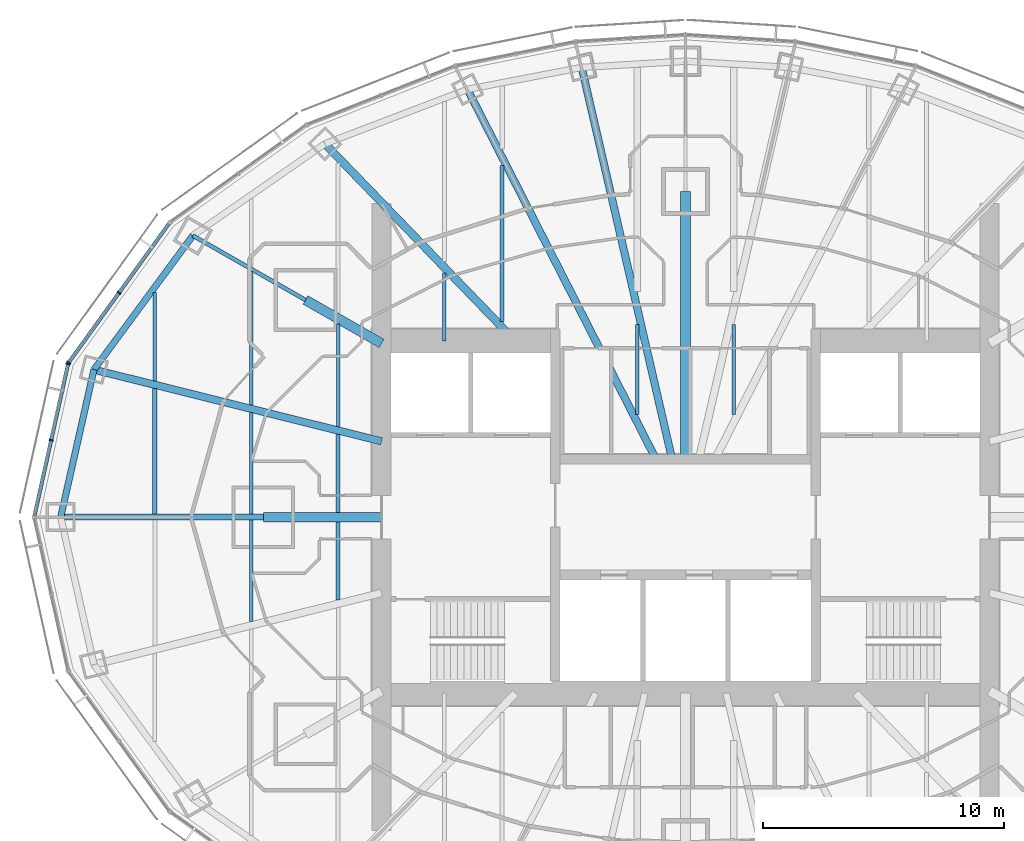
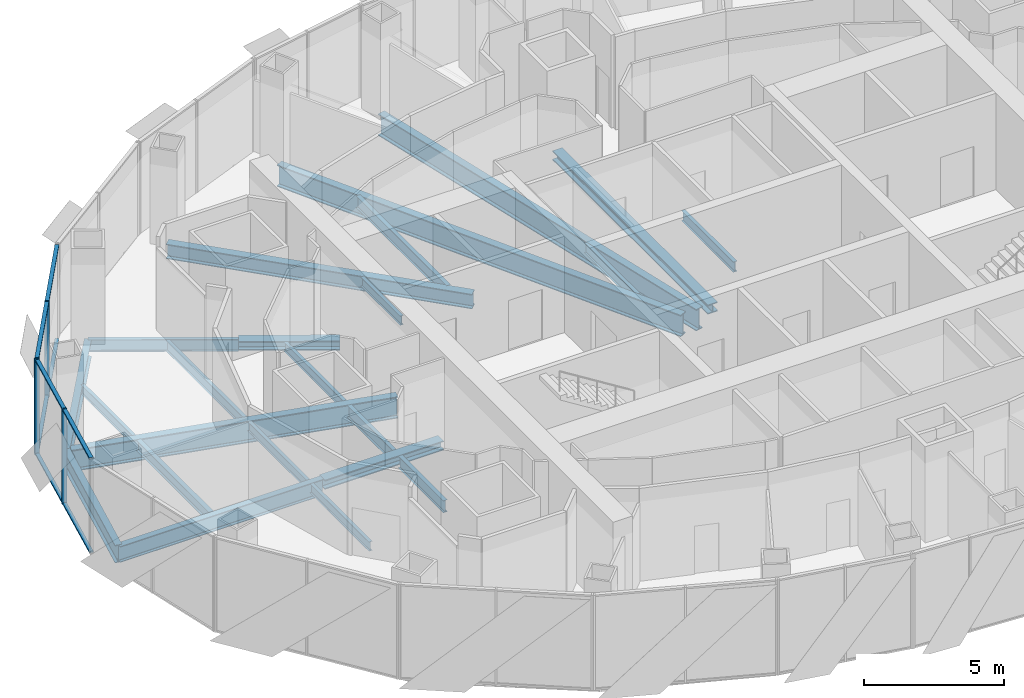
# One storey, part 4 of 18: 23 beams, 12 members, 2 elements without a shape of their own.
"""IFC4 building model written with IfcOpenShell, lengths in metres."""

import ifcopenshell
import ifcopenshell.guid

model = None  # the IFC model being written
_history = None  # IfcOwnerHistory: only IFC2X3 demands one
_inside = {}  # id of a spatial element -> (the spatial element, [elements in it])
_under = {}  # id of a project, library or spatial element -> (it, [spatial elements below it])
_declared = {}  # id of a project -> (the project, [libraries it declares])
_typed = {}  # id of a type object -> (the type object, [elements of that type])
_made_of = {}  # id of a material, layer set ... -> (it, [elements and type objects made of it])


def new_model(schema):
    """Start an empty IFC model of exactly this schema.

    Asked for "IFC4X3", IfcOpenShell would pick the latest addendum, in which some entities
    have other attributes; the version numbers below select the first issue.
    IFC2X3 requires an IfcOwnerHistory on every rooted entity: one is made here for all.
    """
    global model, _history
    if schema == "IFC4X3":
        model = ifcopenshell.file(schema_version=(4, 3, 0, 0))
    else:
        model = ifcopenshell.file(schema=schema)
    _inside.clear()
    _under.clear()
    _declared.clear()
    _typed.clear()
    _made_of.clear()
    _history = None
    if model.schema == "IFC2X3":
        org = make("IfcOrganization", Name="unknown")
        user = make(
            "IfcPersonAndOrganization",
            ThePerson=make("IfcPerson", FamilyName="unknown"),
            TheOrganization=org,
        )
        app = make(
            "IfcApplication",
            ApplicationDeveloper=org,
            Version="unknown",
            ApplicationFullName="unknown",
            ApplicationIdentifier="unknown",
        )
        _history = make(
            "IfcOwnerHistory",
            OwningUser=user,
            OwningApplication=app,
            ChangeAction="ADDED",
            CreationDate=0,
        )
    return model


def make(cls, **values):
    """One entity of the class cls with the attributes given. An attribute that is None is left unset."""
    return model.create_entity(
        cls, **{name: value for name, value in values.items() if value is not None}
    )


def rooted(cls, **values):
    """An entity with a GlobalId (a new one), such as an element, a storey or a relation."""
    return make(cls, GlobalId=ifcopenshell.guid.new(), OwnerHistory=_history, **values)


def si_unit(unit_type, name, prefix=None):
    """IfcSIUnit, for example si_unit("LENGTHUNIT", "METRE", prefix="MILLI")."""
    return make("IfcSIUnit", UnitType=unit_type, Prefix=prefix, Name=name)


def assignment(units):
    """IfcUnitAssignment: the units of a project."""
    return None if units is None else make("IfcUnitAssignment", Units=units)


def point(xyz):
    """IfcCartesianPoint."""
    return None if xyz is None else make("IfcCartesianPoint", Coordinates=xyz)


def direction(xyz):
    """IfcDirection."""
    return None if xyz is None else make("IfcDirection", DirectionRatios=xyz)


def frame(location, z_axis=None, x_axis=None):
    """IfcAxis2Placement3D, a coordinate frame: its origin and axes. An axis left out is left unset."""
    return make(
        "IfcAxis2Placement3D",
        Location=point(location),
        Axis=direction(z_axis),
        RefDirection=direction(x_axis),
    )


def frame_2d(location, x_axis=None):
    """IfcAxis2Placement2D, a coordinate frame in the plane: its origin and x axis."""
    return make(
        "IfcAxis2Placement2D", Location=point(location), RefDirection=direction(x_axis)
    )


def origin():
    """The frame at (0, 0, 0) with its axes left unset."""
    return frame((0.0, 0.0, 0.0))


def origin_2d():
    """The frame at (0, 0) in the plane with its x axis left unset."""
    return frame_2d((0.0, 0.0))


def place(relative_to, where):
    """IfcLocalPlacement: puts the frame where relative to a parent placement (None: the world)."""
    return make(
        "IfcLocalPlacement", PlacementRelTo=relative_to, RelativePlacement=where
    )


def context(
    kind, dimensions, precision=None, world=None, true_north=None, identifier=None
):
    """IfcGeometricRepresentationContext, for example the 3D "Model" context."""
    return make(
        "IfcGeometricRepresentationContext",
        ContextIdentifier=identifier,
        ContextType=kind,
        CoordinateSpaceDimension=dimensions,
        Precision=precision,
        WorldCoordinateSystem=world,
        TrueNorth=true_north,
    )


def subcontext(parent, identifier, kind, view, scale=None):
    """IfcGeometricRepresentationSubContext, for example "Body" below "Model"."""
    return make(
        "IfcGeometricRepresentationSubContext",
        ContextIdentifier=identifier,
        ContextType=kind,
        ParentContext=parent,
        TargetScale=scale,
        TargetView=view,
    )


def project(units=None, contexts=None):
    """IfcProject with its units and contexts."""
    return rooted(
        "IfcProject",
        Name="project",
        RepresentationContexts=contexts,
        UnitsInContext=assignment(units),
    )


def spatial(cls, under=None, at=None, **own):
    """A site, building, storey or space (cls), placed at a placement, below another one or the project."""
    s = rooted(cls, ObjectPlacement=at, **own)
    if under is not None:
        _under.setdefault(under.id(), (under, []))[1].append(s)
    return s


def profile(cls, at=None, kind="AREA", **sizes):
    """A parametric profile (cls). Its sizes go by their IFC names, for example OverallWidth=200.0."""
    return make(cls, ProfileType=kind, Position=at, **sizes)


def rectangle(**sizes):
    """IfcRectangleProfileDef."""
    return profile("IfcRectangleProfileDef", **sizes)


def i_section(**sizes):
    """IfcIShapeProfileDef."""
    return profile("IfcIShapeProfileDef", **sizes)


def extrude(swept, where, along, depth):
    """IfcExtrudedAreaSolid: the profile swept, set in the frame where, extruded along a direction by depth."""
    return make(
        "IfcExtrudedAreaSolid",
        SweptArea=swept,
        Position=where,
        ExtrudedDirection=direction(along),
        Depth=depth,
    )


def shape(context_of_items, identifier, shape_type, items):
    """IfcShapeRepresentation: the items that make up one representation, for example the "Body"."""
    return make(
        "IfcShapeRepresentation",
        ContextOfItems=context_of_items,
        RepresentationIdentifier=identifier,
        RepresentationType=shape_type,
        Items=items,
    )


def material(Name=None, Category=None):
    """IfcMaterial."""
    return make("IfcMaterial", Name=Name, Category=Category)


def material_profile(
    of_material, cross_section, Name=None, Category=None, Priority=None
):
    """IfcMaterialProfile: a cross section and its material."""
    return make(
        "IfcMaterialProfile",
        Name=Name,
        Material=of_material,
        Profile=cross_section,
        Priority=Priority,
        Category=Category,
    )


def profile_set(profiles, Name=None, composite=None):
    """IfcMaterialProfileSet."""
    return make(
        "IfcMaterialProfileSet",
        Name=Name,
        MaterialProfiles=profiles,
        CompositeProfile=composite,
    )


def made_of(thing, what):
    """Note that an element or type object is made of a material, layer set ...; save() writes the relation."""
    if what is not None:
        _made_of.setdefault(what.id(), (what, []))[1].append(thing)
    return thing


def type_object(cls, material=None, **own):
    """A type object (cls), such as IfcWallType, which elements share."""
    return made_of(rooted(cls, **own), material)


def element(
    cls,
    number,
    at=None,
    inside=None,
    cuts=None,
    type_object=None,
    material=None,
    context=None,
    identifier="Body",
    shape_type=None,
    held_by="IfcProductDefinitionShape",
    body=None,
    shapes=None,
    **own,
):
    """One element of the class cls, such as IfcWall. Its Tag is "e" and its number.

    at: its placement. inside: the storey or other place that contains it. cuts: it is an
    opening in that element (IfcRelVoidsElement). A single representation is given by context,
    identifier, shape_type and body (its items); several are given by shapes. held_by: the class
    of the entity that holds the representations. save() writes the other relations.
    """
    e = rooted(cls, Tag="e%d" % number, ObjectPlacement=at, **own)
    if body is not None:
        shapes = [shape(context, identifier, shape_type, body)]
    if shapes is not None:
        e.Representation = make(held_by, Representations=shapes)
    if inside is not None:
        _inside.setdefault(inside.id(), (inside, []))[1].append(e)
    if cuts is not None:
        rooted(
            "IfcRelVoidsElement", RelatingBuildingElement=cuts, RelatedOpeningElement=e
        )
    if type_object is not None:
        _typed.setdefault(type_object.id(), (type_object, []))[1].append(e)
    return made_of(e, material)


def aggregate(whole, parts):
    """IfcRelAggregates: a whole, such as a stair, and the parts it consists of."""
    return rooted("IfcRelAggregates", RelatingObject=whole, RelatedObjects=parts)


def save(model, path):
    """Write the relations noted so far, then the file.

    IfcRelAggregates (storeys below a building ...), IfcRelContainedInSpatialStructure (elements
    in a storey), IfcRelDefinesByType, IfcRelAssociatesMaterial and IfcRelDeclares: one each for
    every whole, place, type object, material and project.
    """
    for whole, parts in _under.values():
        aggregate(whole, parts)
    for where, things in _inside.values():
        rooted(
            "IfcRelContainedInSpatialStructure",
            RelatedElements=things,
            RelatingStructure=where,
        )
    for kind, things in _typed.values():
        rooted("IfcRelDefinesByType", RelatedObjects=things, RelatingType=kind)
    for what, things in _made_of.values():
        rooted("IfcRelAssociatesMaterial", RelatedObjects=things, RelatingMaterial=what)
    for by, libraries in _declared.values():
        rooted("IfcRelDeclares", RelatingContext=by, RelatedDefinitions=libraries)
    model.write(path)


model = new_model("IFC4")

# Units and contexts
model_context = context("Model", 3, precision=1e-05, world=origin(), true_north=direction((0.0, 1.0)))
body_context = subcontext(model_context, "Body", "Model", "MODEL_VIEW")
ifc_project = project(units=[si_unit("LENGTHUNIT", "METRE"), si_unit("AREAUNIT", "SQUARE_METRE"), si_unit("VOLUMEUNIT", "CUBIC_METRE"), si_unit("PLANEANGLEUNIT", "RADIAN"), si_unit("MASSUNIT", "GRAM", prefix="KILO")], contexts=[model_context])

# Site, building, storey
site_placement = place(None, origin())
site = spatial("IfcSite", under=ifc_project, at=site_placement, CompositionType="ELEMENT")
building_placement = place(site_placement, origin())
building = spatial("IfcBuilding", under=site, at=building_placement, Name="Lantaw Convention Tower", CompositionType="ELEMENT")
storey_placement = place(building_placement, frame((0.0, 0.0, 228.39990234375)))
storey = spatial("IfcBuildingStorey", under=building, at=storey_placement, Name="L53", CompositionType="ELEMENT", Elevation=228.39990234375)

# Beams
ifc_material_1 = material(Name="Steel ASTM A992", Category="steel")
ifc_material_profile_1 = material_profile(ifc_material_1, i_section(OverallWidth=0.2666015625, OverallDepth=0.76953125, WebThickness=0.015625, FlangeThickness=0.025390625, FilletRadius=0.0126953125, at=origin_2d()), Name="W30X132")
ifc_profile_set_1 = profile_set([ifc_material_profile_1], Name="Steel ASTM A992")
beam_type_1 = type_object("IfcBeamType", Name="Beam E W30X132", PredefinedType="SPANDREL", material=ifc_profile_set_1)
beam_1_placement = place(storey_placement, frame((-20.423095703125, 11.67041015625, -0.53466796875), z_axis=(-0.593639188853, -0.804731329984, 0.0), x_axis=(0.804731329984, -0.593639188853, 0.0)))
element("IfcBeam", 1, at=beam_1_placement, inside=storey, type_object=beam_type_1, Name="Edge beam 11", PredefinedType="SPANDREL", context=body_context, shape_type="SweptSolid", body=[
    extrude(i_section(OverallWidth=0.2666015625, OverallDepth=0.76953125, WebThickness=0.015625, FlangeThickness=0.025390625, FilletRadius=0.0126953125, at=origin_2d()), origin(), (0.0, 0.0, 1.0), 6.904541015625),
])
beam_2_placement = place(storey_placement, frame((-24.52197265625, 6.114013671875, -0.53466796875), z_axis=(-0.219857926596, -0.97553190215, 0.0), x_axis=(0.97553190215, -0.219857926596, 0.0)))
element("IfcBeam", 2, at=beam_2_placement, inside=storey, type_object=beam_type_1, Name="Edge beam 12", PredefinedType="SPANDREL", context=body_context, shape_type="SweptSolid", body=[
    extrude(i_section(OverallWidth=0.2666015625, OverallDepth=0.76953125, WebThickness=0.015625, FlangeThickness=0.025390625, FilletRadius=0.0126953125, at=origin_2d()), origin(), (0.0, 0.0, 1.0), 6.267333984375),
])
ifc_material_profile_2 = material_profile(ifc_material_1, i_section(OverallWidth=0.1650390625, OverallDepth=0.52587890625, WebThickness=0.0087890625, FlangeThickness=0.011474609375, FilletRadius=0.0126953125, at=origin_2d()), Name="W21X44")
ifc_profile_set_2 = profile_set([ifc_material_profile_2], Name="Steel ASTM A992")
beam_type_2 = type_object("IfcBeamType", Name="Beam G W21X44", PredefinedType="BEAM", material=ifc_profile_set_2)
beam_3_placement = place(storey_placement, frame((-15.75, 9.0, -0.412841796875), z_axis=(-0.868237559289, 0.496148708192, 0.0), x_axis=(-0.496148708192, -0.868237559289, 0.0)))
element("IfcBeam", 3, at=beam_3_placement, inside=storey, type_object=beam_type_2, Name="Floor girder on ray 11", PredefinedType="BEAM", context=body_context, shape_type="SweptSolid", body=[
    extrude(i_section(OverallWidth=0.1650390625, OverallDepth=0.52587890625, WebThickness=0.0087890625, FlangeThickness=0.011474609375, FilletRadius=0.0126953125, at=origin_2d()), origin(), (0.0, 0.0, 1.0), 5.38232421875),
])
ifc_material_profile_3 = material_profile(ifc_material_1, i_section(OverallWidth=0.32763671875, OverallDepth=0.64013671875, WebThickness=0.01904296875, FlangeThickness=0.033935546875, FilletRadius=0.0126953125, at=origin_2d()), Name="W24X176")
ifc_profile_set_3 = profile_set([ifc_material_profile_3], Name="Steel ASTM A992")
beam_type_3 = type_object("IfcBeamType", Name="Beam G W24X176", PredefinedType="BEAM", material=ifc_profile_set_3)
beam_4_placement = place(storey_placement, frame((-7.049560546875, 7.300048828125, -0.469970703125), z_axis=(-0.694657766726, 0.719340383356, 0.0), x_axis=(-0.719340383356, -0.694657766726, 0.0)))
element("IfcBeam", 4, at=beam_4_placement, inside=storey, type_object=beam_type_3, Name="Floor girder on ray 10", PredefinedType="BEAM", context=body_context, shape_type="SweptSolid", body=[
    extrude(i_section(OverallWidth=0.32763671875, OverallDepth=0.64013671875, WebThickness=0.01904296875, FlangeThickness=0.033935546875, FilletRadius=0.0126953125, at=origin_2d()), origin(), (0.0, 0.0, 1.0), 11.364990234375),
])
ifc_material_profile_4 = material_profile(ifc_material_1, i_section(OverallWidth=0.25390625, OverallDepth=0.700927734375, WebThickness=0.015380859375, FlangeThickness=0.02783203125, FilletRadius=0.01513671875, at=origin_2d()), Name="W27X129")
ifc_profile_set_4 = profile_set([ifc_material_profile_4], Name="Steel ASTM A992")
beam_type_4 = type_object("IfcBeamType", Name="Beam G W27X129", PredefinedType="BEAM", material=ifc_profile_set_4)
beam_5_placement = place(storey_placement, frame((-17.5, 0.0, -0.50048828125), z_axis=(-1.0, 0.0, 0.0), x_axis=(0.0, -1.0, 0.0)))
element("IfcBeam", 5, at=beam_5_placement, inside=storey, type_object=beam_type_4, Name="Floor girder on ray 13", PredefinedType="BEAM", context=body_context, shape_type="SweptSolid", body=[
    extrude(i_section(OverallWidth=0.25390625, OverallDepth=0.700927734375, WebThickness=0.015380859375, FlangeThickness=0.02783203125, FilletRadius=0.01513671875, at=origin_2d()), origin(), (0.0, 0.0, 1.0), 8.39990234375),
])
ifc_material_profile_5 = material_profile(ifc_material_1, i_section(OverallWidth=0.307373046875, OverallDepth=0.9423828125, WebThickness=0.022216796875, FlangeThickness=0.039794921875, FilletRadius=0.0126953125, at=origin_2d()), Name="W36X232")
ifc_profile_set_5 = profile_set([ifc_material_profile_5], Name="Steel ASTM A992")
beam_type_5 = type_object("IfcBeamType", Name="Beam G W36X232", PredefinedType="BEAM", material=ifc_profile_set_5)
beam_6_placement = place(storey_placement, frame((-0.55419921875, 2.39990234375, -0.62109375), z_axis=(-0.224948287002, 0.974370703672, 0.0), x_axis=(-0.974370703672, -0.224948287002, 0.0)))
element("IfcBeam", 6, at=beam_6_placement, inside=storey, type_object=beam_type_5, Name="Floor girder on ray 8", PredefinedType="BEAM", context=body_context, shape_type="SweptSolid", body=[
    extrude(i_section(OverallWidth=0.307373046875, OverallDepth=0.9423828125, WebThickness=0.022216796875, FlangeThickness=0.039794921875, FilletRadius=0.0126953125, at=origin_2d()), origin(), (0.0, 0.0, 1.0), 16.66943359375),
])
beam_7_placement = place(storey_placement, frame((-1.222900390625, 2.39990234375, -0.62109375), z_axis=(-0.453988481463, 0.891007552549, 0.0), x_axis=(-0.891007552549, -0.453988481463, 0.0)))
element("IfcBeam", 7, at=beam_7_placement, inside=storey, type_object=beam_type_5, Name="Floor girder on ray 9", PredefinedType="BEAM", context=body_context, shape_type="SweptSolid", body=[
    extrude(i_section(OverallWidth=0.307373046875, OverallDepth=0.9423828125, WebThickness=0.022216796875, FlangeThickness=0.039794921875, FilletRadius=0.0126953125, at=origin_2d()), origin(), (0.0, 0.0, 1.0), 17.20703125),
])
beam_8_placement = place(storey_placement, frame((-12.60009765625, 3.1416015625, -0.62109375), z_axis=(-0.970296589314, 0.241918434119, 0.0), x_axis=(-0.241918434119, -0.970296589314, 0.0)))
element("IfcBeam", 8, at=beam_8_placement, inside=storey, type_object=beam_type_5, Name="Floor girder on ray 12", PredefinedType="BEAM", context=body_context, shape_type="SweptSolid", body=[
    extrude(i_section(OverallWidth=0.307373046875, OverallDepth=0.9423828125, WebThickness=0.022216796875, FlangeThickness=0.039794921875, FilletRadius=0.0126953125, at=origin_2d()), origin(), (0.0, 0.0, 1.0), 12.286865234375),
])
ifc_material_profile_6 = material_profile(ifc_material_1, i_section(OverallWidth=0.40380859375, OverallDepth=0.406494140625, WebThickness=0.027099609375, FlangeThickness=0.043701171875, FilletRadius=0.01513671875, at=origin_2d()), Name="W14X233")
ifc_profile_set_6 = profile_set([ifc_material_profile_6], Name="Steel ASTM A992")
beam_type_6 = type_object("IfcBeamType", Name="Beam GM W14X233", PredefinedType="BEAM", material=ifc_profile_set_6)
beam_9_placement = place(storey_placement, frame((0.0, 2.39990234375, -0.35302734375), z_axis=(0.0, 1.0, 0.0), x_axis=(-1.0, 0.0, 0.0)))
element("IfcBeam", 9, at=beam_9_placement, inside=storey, type_object=beam_type_6, Name="Core link beam on ray 7", PredefinedType="BEAM", context=body_context, shape_type="SweptSolid", body=[
    extrude(i_section(OverallWidth=0.40380859375, OverallDepth=0.406494140625, WebThickness=0.027099609375, FlangeThickness=0.043701171875, FilletRadius=0.01513671875, at=origin_2d()), origin(), (0.0, 0.0, 1.0), 11.10009765625),
])
beam_10_placement = place(storey_placement, frame((-12.60009765625, 7.199951171875, -0.35302734375), z_axis=(-0.868230718294, 0.496160679428, 0.0), x_axis=(-0.496160679428, -0.868230718294, 0.0)))
element("IfcBeam", 10, at=beam_10_placement, inside=storey, type_object=beam_type_6, Name="Core link beam on ray 11", PredefinedType="BEAM", context=body_context, shape_type="SweptSolid", body=[
    extrude(i_section(OverallWidth=0.40380859375, OverallDepth=0.406494140625, WebThickness=0.027099609375, FlangeThickness=0.043701171875, FilletRadius=0.01513671875, at=origin_2d()), origin(), (0.0, 0.0, 1.0), 3.6279296875),
])
beam_11_placement = place(storey_placement, frame((-12.60009765625, 0.0, -0.35302734375), z_axis=(-1.0, 0.0, 0.0), x_axis=(0.0, -1.0, 0.0)))
element("IfcBeam", 11, at=beam_11_placement, inside=storey, type_object=beam_type_6, Name="Core link beam on ray 13", PredefinedType="BEAM", context=body_context, shape_type="SweptSolid", body=[
    extrude(i_section(OverallWidth=0.40380859375, OverallDepth=0.406494140625, WebThickness=0.027099609375, FlangeThickness=0.043701171875, FilletRadius=0.01513671875, at=origin_2d()), origin(), (0.0, 0.0, 1.0), 4.89990234375),
])
ifc_material_profile_7 = material_profile(ifc_material_1, i_section(OverallWidth=0.140380859375, OverallDepth=0.40380859375, WebThickness=0.007080078125, FlangeThickness=0.01123046875, FilletRadius=0.01025390625, at=origin_2d()), Name="W16X31")
ifc_profile_set_7 = profile_set([ifc_material_profile_7], Name="Steel ASTM A992")
beam_type_7 = type_object("IfcBeamType", Name="Beam J W16X31", PredefinedType="JOIST", material=ifc_profile_set_7)
beam_12_placement = place(storey_placement, frame((-22.0, 5.6435546875, -0.351806640625), z_axis=(0.0, 1.0, 0.0), x_axis=(-1.0, 0.0, 0.0)))
element("IfcBeam", 12, at=beam_12_placement, inside=storey, type_object=beam_type_7, Name="Floor joist", PredefinedType="JOIST", context=body_context, shape_type="SweptSolid", body=[
    extrude(i_section(OverallWidth=0.140380859375, OverallDepth=0.40380859375, WebThickness=0.007080078125, FlangeThickness=0.01123046875, FilletRadius=0.01025390625, at=origin_2d()), origin(), (0.0, 0.0, 1.0), 3.66455078125),
])
for number, where, z_axis, x_axis, name in (
    (13, (-18.0, -4.32958984375, -0.351806640625), (0.0, 1.0, 0.0), (-1.0, 0.0, 0.0), "Floor joist"),
    (14, (-18.0, 0.126953125, -0.351806640625), (0.0, 1.0, 0.0), (-1.0, 0.0, 0.0), "Floor joist"),
):
    element("IfcBeam", number, at=place(storey_placement, frame(where, z_axis=z_axis, x_axis=x_axis)), inside=storey, type_object=beam_type_7, Name=name, PredefinedType="JOIST", context=body_context, shape_type="SweptSolid", body=[
        extrude(i_section(OverallWidth=0.140380859375, OverallDepth=0.40380859375, WebThickness=0.007080078125, FlangeThickness=0.01123046875, FilletRadius=0.01025390625, at=origin_2d()), origin(), (0.0, 0.0, 1.0), 4.20263671875),
    ])
beam_13_placement = place(storey_placement, frame((-14.39990234375, 3.748779296875, -0.351806640625), z_axis=(0.0, 1.0, 0.0), x_axis=(-1.0, 0.0, 0.0)))
element("IfcBeam", 15, at=beam_13_placement, inside=storey, type_object=beam_type_7, Name="Floor joist", PredefinedType="JOIST", context=body_context, shape_type="SweptSolid", body=[
    extrude(i_section(OverallWidth=0.140380859375, OverallDepth=0.40380859375, WebThickness=0.007080078125, FlangeThickness=0.01123046875, FilletRadius=0.01025390625, at=origin_2d()), origin(), (0.0, 0.0, 1.0), 4.247314453125),
])
beam_14_placement = place(storey_placement, frame((-10.0, 7.300048828125, -0.351806640625), z_axis=(0.0, 1.0, 0.0), x_axis=(-1.0, 0.0, 0.0)))
element("IfcBeam", 16, at=beam_14_placement, inside=storey, type_object=beam_type_7, Name="Floor joist", PredefinedType="JOIST", context=body_context, shape_type="SweptSolid", body=[
    extrude(i_section(OverallWidth=0.140380859375, OverallDepth=0.40380859375, WebThickness=0.007080078125, FlangeThickness=0.01123046875, FilletRadius=0.01025390625, at=origin_2d()), origin(), (0.0, 0.0, 1.0), 2.8193359375),
])
ifc_material_profile_8 = material_profile(ifc_material_1, i_section(OverallWidth=0.15234375, OverallDepth=0.449462890625, WebThickness=0.007568359375, FlangeThickness=0.0107421875, FilletRadius=0.01025390625, at=origin_2d()), Name="W18X35")
ifc_profile_set_8 = profile_set([ifc_material_profile_8], Name="Steel ASTM A992")
beam_type_8 = type_object("IfcBeamType", Name="Beam J W18X35", PredefinedType="JOIST", material=ifc_profile_set_8)
beam_15_placement = place(storey_placement, frame((-18.0, 4.646240234375, -0.374755859375), z_axis=(0.0, 1.0, 0.0), x_axis=(-1.0, 0.0, 0.0)))
element("IfcBeam", 17, at=beam_15_placement, inside=storey, type_object=beam_type_8, Name="Floor joist", PredefinedType="JOIST", context=body_context, shape_type="SweptSolid", body=[
    extrude(i_section(OverallWidth=0.15234375, OverallDepth=0.449462890625, WebThickness=0.007568359375, FlangeThickness=0.0107421875, FilletRadius=0.01025390625, at=origin_2d()), origin(), (0.0, 0.0, 1.0), 5.54443359375),
])
for number, where, z_axis, x_axis, name in (
    (18, (-2.0, 4.263671875, -0.374755859375), (0.0, 1.0, 0.0), (-1.0, 0.0, 0.0), "Floor joist"),
    (19, (2.0, 4.263671875, -0.374755859375), (0.0, 1.0, 0.0), (-1.0, 0.0, 0.0), "Floor joist"),
):
    element("IfcBeam", number, at=place(storey_placement, frame(where, z_axis=z_axis, x_axis=x_axis)), inside=storey, type_object=beam_type_8, Name=name, PredefinedType="JOIST", context=body_context, shape_type="SweptSolid", body=[
        extrude(i_section(OverallWidth=0.15234375, OverallDepth=0.449462890625, WebThickness=0.007568359375, FlangeThickness=0.0107421875, FilletRadius=0.01025390625, at=origin_2d()), origin(), (0.0, 0.0, 1.0), 3.716064453125),
    ])
ifc_material_profile_9 = material_profile(ifc_material_1, i_section(OverallWidth=0.1904296875, OverallDepth=0.457275390625, WebThickness=0.009033203125, FlangeThickness=0.014404296875, FilletRadius=0.01025390625, at=origin_2d()), Name="W18X50")
ifc_profile_set_9 = profile_set([ifc_material_profile_9], Name="Steel ASTM A992")
beam_type_9 = type_object("IfcBeamType", Name="Beam J W18X50", PredefinedType="JOIST", material=ifc_profile_set_9)
beam_16_placement = place(storey_placement, frame((-22.0, 0.126953125, -0.37841796875), z_axis=(0.0, 1.0, 0.0), x_axis=(-1.0, 0.0, 0.0)))
element("IfcBeam", 20, at=beam_16_placement, inside=storey, type_object=beam_type_9, Name="Floor joist", PredefinedType="JOIST", context=body_context, shape_type="SweptSolid", body=[
    extrude(i_section(OverallWidth=0.1904296875, OverallDepth=0.457275390625, WebThickness=0.009033203125, FlangeThickness=0.014404296875, FilletRadius=0.01025390625, at=origin_2d()), origin(), (0.0, 0.0, 1.0), 5.199951171875),
])
ifc_material_profile_10 = material_profile(ifc_material_1, i_section(OverallWidth=0.1650390625, OverallDepth=0.52587890625, WebThickness=0.0087890625, FlangeThickness=0.011474609375, FilletRadius=0.0126953125, at=origin_2d()), Name="W21X44")
ifc_profile_set_10 = profile_set([ifc_material_profile_10], Name="Steel ASTM A992")
beam_type_10 = type_object("IfcBeamType", Name="Beam J W21X44", PredefinedType="JOIST", material=ifc_profile_set_10)
for number, where, z_axis, x_axis, name in (
    (21, (-14.39990234375, -3.431884765625, -0.412841796875), (0.0, 1.0, 0.0), (-1.0, 0.0, 0.0), "Floor joist"),
    (22, (-14.39990234375, 0.201904296875, -0.412841796875), (0.0, 1.0, 0.0), (-1.0, 0.0, 0.0), "Floor joist"),
):
    element("IfcBeam", number, at=place(storey_placement, frame(where, z_axis=z_axis, x_axis=x_axis)), inside=storey, type_object=beam_type_10, Name=name, PredefinedType="JOIST", context=body_context, shape_type="SweptSolid", body=[
        extrude(i_section(OverallWidth=0.1650390625, OverallDepth=0.52587890625, WebThickness=0.0087890625, FlangeThickness=0.011474609375, FilletRadius=0.0126953125, at=origin_2d()), origin(), (0.0, 0.0, 1.0), 3.22998046875),
    ])
beam_17_placement = place(storey_placement, frame((-7.60009765625, 8.10595703125, -0.412841796875), z_axis=(0.0, 1.0, 0.0), x_axis=(-1.0, 0.0, 0.0)))
element("IfcBeam", 23, at=beam_17_placement, inside=storey, type_object=beam_type_10, Name="Floor joist", PredefinedType="JOIST", context=body_context, shape_type="SweptSolid", body=[
    extrude(i_section(OverallWidth=0.1650390625, OverallDepth=0.52587890625, WebThickness=0.0087890625, FlangeThickness=0.011474609375, FilletRadius=0.0126953125, at=origin_2d()), origin(), (0.0, 0.0, 1.0), 6.471435546875),
])

# Curtain wall, members
ifc_material_2 = material(Name="Aluminium framed curtain wall", Category="aluminium")
curtain_wall_type = type_object("IfcCurtainWallType", Name="Office curtain wall high rise, pale aluminium", PredefinedType="USERDEFINED", material=ifc_material_2)
curtain_wall_1_placement = place(storey_placement, origin())
curtain_wall_1 = element("IfcCurtainWall", 24, at=curtain_wall_1_placement, inside=storey, type_object=curtain_wall_type, Name="Office curtain wall high rise, pale aluminium L53", ObjectType="UNITISED CURTAIN WALL", PredefinedType="USERDEFINED")
ifc_material_3 = material(Name="Aluminium 6063-T6", Category="aluminium")
ifc_material_profile_11 = material_profile(ifc_material_3, rectangle(XDim=0.179931640625, YDim=0.06494140625, at=origin_2d()), Name="CW-O2 mullion 65x180")
ifc_profile_set_11 = profile_set([ifc_material_profile_11], Name="Aluminium 6063-T6")
member_type_1 = type_object("IfcMemberType", Name="CW-O2 mullion 65x180", PredefinedType="MULLION", material=ifc_profile_set_11)
member_1_placement = place(storey_placement, frame((-23.483642578125, 9.298095703125, -0.14990234375), z_axis=(0.0, 0.0, 1.0), x_axis=(0.810919559405, -0.585157643865, 0.0)))
member_1 = element("IfcMember", 25, at=member_1_placement, type_object=member_type_1, Name="CW-O2 mullion 2", PredefinedType="MULLION", context=body_context, shape_type="SweptSolid", body=[
    extrude(rectangle(XDim=0.179931640625, YDim=0.06494140625, at=origin_2d()), origin(), (0.0, 0.0, 1.0), 4.14990234375),
])
member_2_placement = place(storey_placement, frame((-25.5703125, 6.406494140625, -0.14990234375), z_axis=(0.0, 0.0, 1.0), x_axis=(0.810919559405, -0.585157643865, 0.0)))
member_2 = element("IfcMember", 26, at=member_2_placement, type_object=member_type_1, Name="CW-O2 mullion 3", PredefinedType="MULLION", context=body_context, shape_type="SweptSolid", body=[
    extrude(rectangle(XDim=0.179931640625, YDim=0.06494140625, at=origin_2d()), origin(), (0.0, 0.0, 1.0), 4.14990234375),
])

curtain_wall_2_placement = place(storey_placement, origin())
curtain_wall_2 = element("IfcCurtainWall", 27, at=curtain_wall_2_placement, inside=storey, type_object=curtain_wall_type, Name="Office curtain wall high rise, pale aluminium L53", ObjectType="UNITISED CURTAIN WALL", PredefinedType="USERDEFINED")
member_3_placement = place(storey_placement, frame((-25.596435546875, 6.348388671875, -0.14990234375), z_axis=(0.0, 0.0, 1.0), x_axis=(0.976417396437, -0.215891333626, 0.0)))
member_3 = element("IfcMember", 28, at=member_3_placement, type_object=member_type_1, Name="CW-O2 mullion 1", PredefinedType="MULLION", context=body_context, shape_type="SweptSolid", body=[
    extrude(rectangle(XDim=0.179931640625, YDim=0.06494140625, at=origin_2d()), origin(), (0.0, 0.0, 1.0), 4.14990234375),
])
member_4_placement = place(storey_placement, frame((-26.294677734375, 3.190185546875, -0.14990234375), z_axis=(0.0, 0.0, 1.0), x_axis=(0.976417396437, -0.215891333626, 0.0)))
member_4 = element("IfcMember", 29, at=member_4_placement, type_object=member_type_1, Name="CW-O2 mullion 2", PredefinedType="MULLION", context=body_context, shape_type="SweptSolid", body=[
    extrude(rectangle(XDim=0.179931640625, YDim=0.06494140625, at=origin_2d()), origin(), (0.0, 0.0, 1.0), 4.14990234375),
])

# Member
ifc_material_profile_12 = material_profile(ifc_material_3, rectangle(XDim=0.14990234375, YDim=0.06494140625, at=origin_2d()), Name="CW-O2 transom 65x150")
ifc_profile_set_12 = profile_set([ifc_material_profile_12], Name="Aluminium 6063-T6")
member_type_2 = type_object("IfcMemberType", Name="CW-O2 transom 65x150", PredefinedType="USERDEFINED", material=ifc_profile_set_12)
member_5_placement = place(storey_placement, frame((-21.416259765625, 12.163330078125, -0.117431640625), z_axis=(-0.585123825205, -0.810943961798, 0.0), x_axis=(0.810943961798, -0.585123825205, 0.0)))
member_5 = element("IfcMember", 30, at=member_5_placement, type_object=member_type_2, Name="CW-O2 transom 1.1", ObjectType="TRANSOM", PredefinedType="USERDEFINED", context=body_context, shape_type="SweptSolid", body=[
    extrude(rectangle(XDim=0.14990234375, YDim=0.06494140625, at=origin_2d()), origin(), (0.0, 0.0, 1.0), 3.500732421875),
])

member_6_placement = place(storey_placement, frame((-21.416259765625, 12.163330078125, 3.967529296875), z_axis=(-0.585123825205, -0.810943961798, 0.0), x_axis=(0.810943961798, -0.585123825205, 0.0)))
member_6 = element("IfcMember", 31, at=member_6_placement, type_object=member_type_2, Name="CW-O2 transom 1.2", ObjectType="TRANSOM", PredefinedType="USERDEFINED", context=body_context, shape_type="SweptSolid", body=[
    extrude(rectangle(XDim=0.14990234375, YDim=0.06494140625, at=origin_2d()), origin(), (0.0, 0.0, 1.0), 3.500732421875),
])

member_7_placement = place(storey_placement, frame((-23.502685546875, 9.271728515625, -0.117431640625), z_axis=(-0.585169685931, -0.810910869743, 0.0), x_axis=(0.810910869743, -0.585169685931, 0.0)))
member_7 = element("IfcMember", 32, at=member_7_placement, type_object=member_type_2, Name="CW-O2 transom 2.1", ObjectType="TRANSOM", PredefinedType="USERDEFINED", context=body_context, shape_type="SweptSolid", body=[
    extrude(rectangle(XDim=0.14990234375, YDim=0.06494140625, at=origin_2d()), origin(), (0.0, 0.0, 1.0), 3.500732421875),
])

member_8_placement = place(storey_placement, frame((-23.502685546875, 9.271728515625, 3.967529296875), z_axis=(-0.585169685931, -0.810910869743, 0.0), x_axis=(0.810910869743, -0.585169685931, 0.0)))
member_8 = element("IfcMember", 33, at=member_8_placement, type_object=member_type_2, Name="CW-O2 transom 2.2", ObjectType="TRANSOM", PredefinedType="USERDEFINED", context=body_context, shape_type="SweptSolid", body=[
    extrude(rectangle(XDim=0.14990234375, YDim=0.06494140625, at=origin_2d()), origin(), (0.0, 0.0, 1.0), 3.500732421875),
])

aggregate(curtain_wall_1, [member_1, member_2, member_5, member_6, member_7, member_8])

member_9_placement = place(storey_placement, frame((-25.603271484375, 6.316650390625, -0.117431640625), z_axis=(-0.215894607042, -0.976416672661, 0.0), x_axis=(0.976416672661, -0.215894607042, 0.0)))
member_9 = element("IfcMember", 34, at=member_9_placement, type_object=member_type_2, Name="CW-O2 transom 1.1", ObjectType="TRANSOM", PredefinedType="USERDEFINED", context=body_context, shape_type="SweptSolid", body=[
    extrude(rectangle(XDim=0.14990234375, YDim=0.06494140625, at=origin_2d()), origin(), (0.0, 0.0, 1.0), 3.169677734375),
])

member_10_placement = place(storey_placement, frame((-25.603271484375, 6.316650390625, 3.967529296875), z_axis=(-0.215894607042, -0.976416672661, 0.0), x_axis=(0.976416672661, -0.215894607042, 0.0)))
member_10 = element("IfcMember", 35, at=member_10_placement, type_object=member_type_2, Name="CW-O2 transom 1.2", ObjectType="TRANSOM", PredefinedType="USERDEFINED", context=body_context, shape_type="SweptSolid", body=[
    extrude(rectangle(XDim=0.14990234375, YDim=0.06494140625, at=origin_2d()), origin(), (0.0, 0.0, 1.0), 3.169677734375),
])

member_11_placement = place(storey_placement, frame((-26.3017578125, 3.158447265625, -0.117431640625), z_axis=(-0.215894607042, -0.976416672661, 0.0), x_axis=(0.976416672661, -0.215894607042, 0.0)))
member_11 = element("IfcMember", 36, at=member_11_placement, type_object=member_type_2, Name="CW-O2 transom 2.1", ObjectType="TRANSOM", PredefinedType="USERDEFINED", context=body_context, shape_type="SweptSolid", body=[
    extrude(rectangle(XDim=0.14990234375, YDim=0.06494140625, at=origin_2d()), origin(), (0.0, 0.0, 1.0), 3.169677734375),
])

member_12_placement = place(storey_placement, frame((-26.3017578125, 3.158447265625, 3.967529296875), z_axis=(-0.215894607042, -0.976416672661, 0.0), x_axis=(0.976416672661, -0.215894607042, 0.0)))
member_12 = element("IfcMember", 37, at=member_12_placement, type_object=member_type_2, Name="CW-O2 transom 2.2", ObjectType="TRANSOM", PredefinedType="USERDEFINED", context=body_context, shape_type="SweptSolid", body=[
    extrude(rectangle(XDim=0.14990234375, YDim=0.06494140625, at=origin_2d()), origin(), (0.0, 0.0, 1.0), 3.169677734375),
])

aggregate(curtain_wall_2, [member_3, member_4, member_9, member_10, member_11, member_12])

save(model, "model.ifc")
